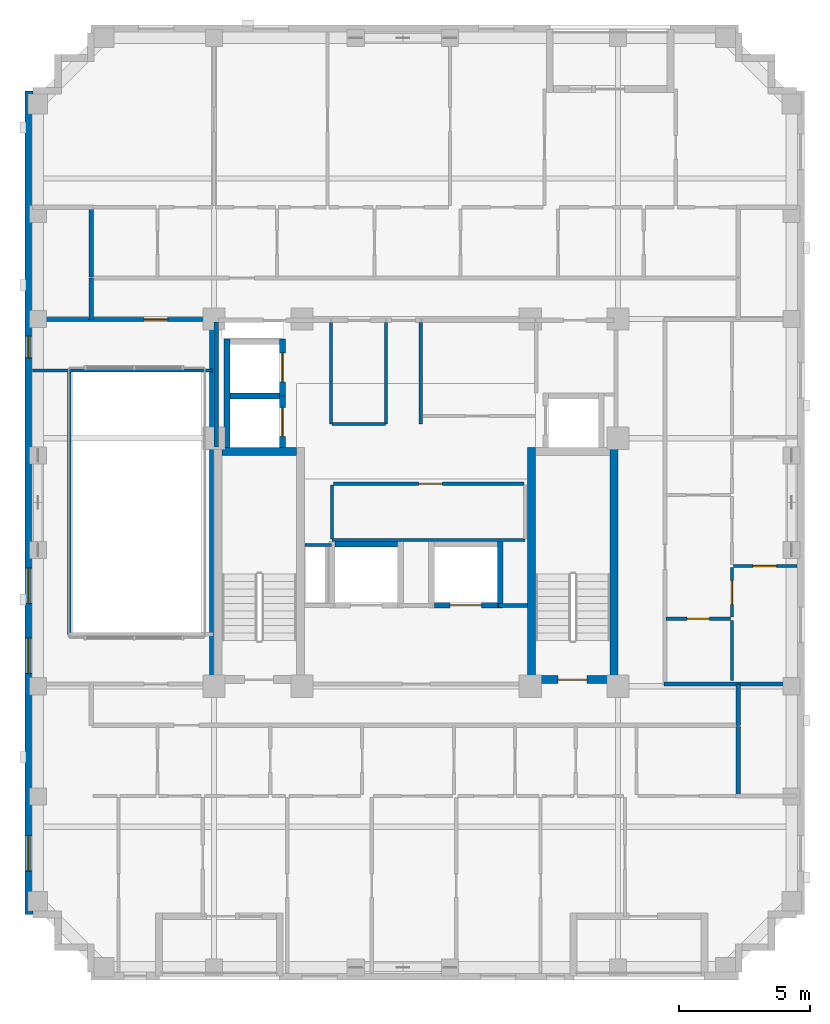
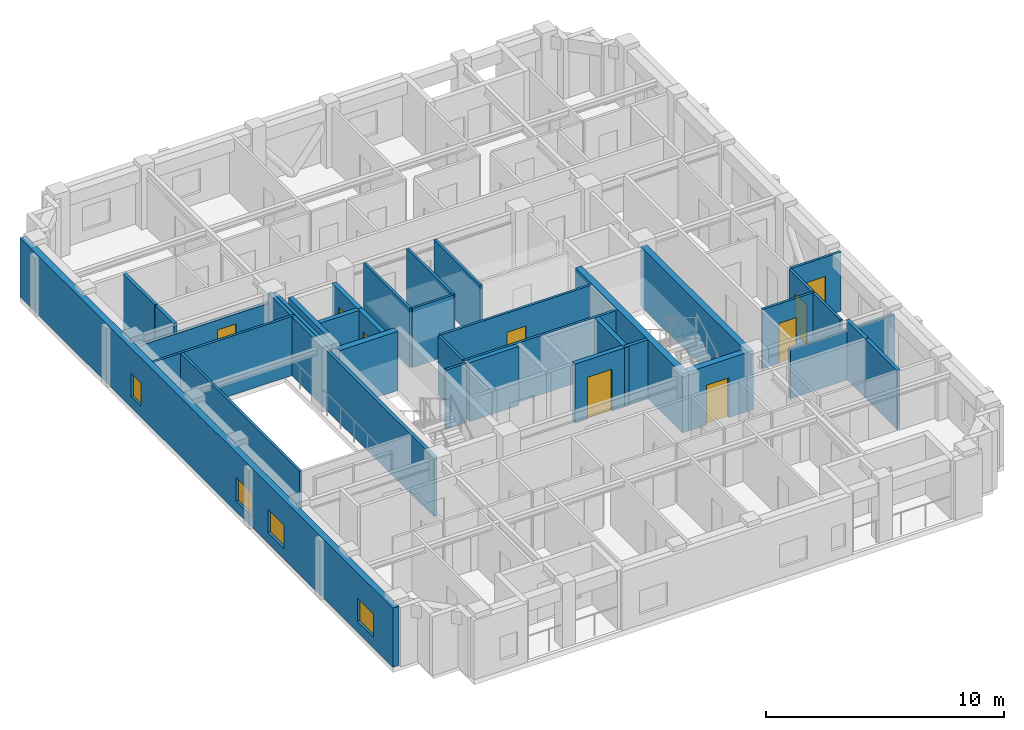
# One storey, part 6 of 12: 35 walls, 9 doors, 4 windows, 13 openings.
"""IFC4 building model written with IfcOpenShell, lengths in metres."""

from ifc_helpers import new_model, si_unit, derived_unit, direction, frame, frame_2d, origin, place, context, subcontext, project, spatial, rectangle, extrude, material, layer, layer_set, type_object, element, fill, save


model = new_model("IFC4")

# Units and contexts
model_context = context("Model", 3, precision=1e-05, world=origin(), true_north=direction((0.0, 1.0)))
body_context = subcontext(model_context, "Body", "Model", "MODEL_VIEW")
ifc_project = project(units=[si_unit("LENGTHUNIT", "METRE"), si_unit("AREAUNIT", "SQUARE_METRE"), si_unit("VOLUMEUNIT", "CUBIC_METRE"), si_unit("PLANEANGLEUNIT", "RADIAN"), si_unit("MASSUNIT", "GRAM", prefix="KILO"), derived_unit("THERMALTRANSMITTANCEUNIT", [(si_unit("MASSUNIT", "GRAM", prefix="KILO"), 1), (si_unit("TIMEUNIT", "SECOND"), -3), (si_unit("THERMODYNAMICTEMPERATUREUNIT", "KELVIN"), -1)])], contexts=[model_context])

# Site, building, storey
site_placement = place(None, origin())
site = spatial("IfcSite", under=ifc_project, at=site_placement, CompositionType="ELEMENT")
building_placement = place(site_placement, origin())
building = spatial("IfcBuilding", under=site, at=building_placement, Name="Korrvale Station Residences", CompositionType="ELEMENT")
storey_placement = place(building_placement, frame((0.0, 0.0, 184.300048828125)))
storey = spatial("IfcBuildingStorey", under=building, at=storey_placement, Name="L53", CompositionType="ELEMENT", Elevation=184.300048828125)

# Walls
ifc_material_1 = material(Name="Concrete C50/60", Category="concrete")
ifc_layer_1 = layer(ifc_material_1, 0.300048828125, Name="Concrete C50/60")
ifc_layer_set_1 = layer_set([ifc_layer_1], Name="Concrete C50/60")
wall_type_1 = type_object("IfcWallType", Name="WAL-CORE-300-C50", PredefinedType="SHEAR", material=ifc_layer_set_1)
wall_1_placement = place(storey_placement, frame((18.10009765625, 23.949951171875, 0.0), z_axis=(0.0, 0.0, 1.0), x_axis=(1.0, 0.0, 0.0)))
element("IfcWall", 1, at=wall_1_placement, inside=storey, type_object=wall_type_1, Name="L53 ST-1 Core Shear Wall North", PredefinedType="SHEAR", context=body_context, shape_type="SweptSolid", body=[
    extrude(rectangle(XDim=2.849853515625, YDim=0.300048828125, at=frame_2d((1.4248046875, 0.0))), origin(), (0.0, 0.0, 1.0), 3.0400390625),
])
for number, where, z_axis, x_axis, name in (
    (2, (29.89990234375, 15.10009765625, 0.0), (0.0, 0.0, 1.0), (0.0, 1.0, 0.0), "L53 ST-2 Core Shear Wall West"),
    (3, (33.050048828125, 15.10009765625, 0.0), (0.0, 0.0, 1.0), (0.0, 1.0, 0.0), "L53 ST-2 Core Shear Wall East"),
):
    element("IfcWall", number, at=place(storey_placement, frame(where, z_axis=z_axis, x_axis=x_axis)), inside=storey, type_object=wall_type_1, Name=name, PredefinedType="SHEAR", context=body_context, shape_type="SweptSolid", body=[
        extrude(rectangle(XDim=9.0, YDim=0.300048828125, at=frame_2d((4.5, 0.0))), origin(), (0.0, 0.0, 1.0), 3.0400390625),
    ])

# Wall, opening, door
wall_2_placement = place(storey_placement, frame((30.050048828125, 15.25, 0.0), z_axis=(0.0, 0.0, 1.0), x_axis=(1.0, 0.0, 0.0)))
wall_2 = element("IfcWall", 4, at=wall_2_placement, inside=storey, type_object=wall_type_1, Name="L53 ST-2 Core Shear Wall South", PredefinedType="SHEAR", context=body_context, shape_type="SweptSolid", body=[
    extrude(rectangle(XDim=2.849853515625, YDim=0.300048828125, at=frame_2d((1.4248046875, 0.0))), origin(), (0.0, 0.0, 1.0), 3.0400390625),
])
opening_1_placement = place(wall_2_placement, frame((0.860107421875, 0.0, 0.0)))
opening_1 = element("IfcOpeningElement", 5, at=opening_1_placement, cuts=wall_2, Name="Opening SD-1100", PredefinedType="OPENING", context=body_context, shape_type="SweptSolid", body=[
    extrude(rectangle(XDim=1.10009765625, YDim=2.050048828125, at=frame_2d((0.550048828125, 1.02490234375))), frame((0.0, 0.16015625, 0.0), z_axis=(0.0, -1.0, 0.0), x_axis=(1.0, 0.0, 0.0)), (0.0, 0.0, 1.0), 0.320068359375),
])
ifc_material_2 = material(Name="Hollow-metal fire-rated stair door with closer", Category="steel")
door_type_1 = type_object("IfcDoorType", Name="DR-STAIR-1100", OperationType="NOTDEFINED", PredefinedType="DOOR", material=ifc_material_2)
door_1_placement = place(opening_1_placement, origin())
door_1 = element("IfcDoor", 6, at=door_1_placement, inside=storey, type_object=door_type_1, Name="L53 ST-2 Exit Stair Door", OperationType="SINGLE_SWING_RIGHT", OverallHeight=2.050048828125, OverallWidth=1.10009765625, PredefinedType="DOOR", context=body_context, shape_type="SweptSolid", body=[
    extrude(rectangle(XDim=1.10009765625, YDim=2.050048828125, at=frame_2d((0.550048828125, 1.02490234375))), frame((0.0, 0.02490234375, 0.0), z_axis=(0.0, -1.0, 0.0), x_axis=(1.0, 0.0, 0.0)), (0.0, 0.0, 1.0), 0.050048828125),
])
fill(opening_1, door_1)

# Wall, openings, windows
ifc_material_3 = material(Name="Precast concrete C45/55", Category="concrete")
ifc_layer_2 = layer(ifc_material_3, 0.300048828125, Name="Precast concrete C45/55")
ifc_layer_set_2 = layer_set([ifc_layer_2], Name="Precast concrete C45/55")
wall_type_2 = type_object("IfcWallType", Name="WAL-EXT-PC300", PredefinedType="SOLIDWALL", material=ifc_layer_set_2)
wall_3_placement = place(storey_placement, frame((10.75, 6.300048828125, 0.0), z_axis=(0.0, 0.0, 1.0), x_axis=(0.0, 1.0, 0.0)))
wall_3 = element("IfcWall", 7, at=wall_3_placement, inside=storey, type_object=wall_type_2, Name="L53 West Exterior Precast Wall 1", PredefinedType="SOLIDWALL", context=body_context, shape_type="SweptSolid", body=[
    extrude(rectangle(XDim=31.39990234375, YDim=0.300048828125, at=frame_2d((15.699951171875, 0.0))), origin(), (0.0, 0.0, 1.0), 3.0400390625),
])
opening_2_placement = place(wall_3_placement, frame((1.653076171875, 0.0, 0.550048828125)))
opening_2 = element("IfcOpeningElement", 8, at=opening_2_placement, cuts=wall_3, Name="Opening W-10", PredefinedType="OPENING", context=body_context, shape_type="SweptSolid", body=[
    extrude(rectangle(XDim=1.35009765625, YDim=1.199951171875, at=frame_2d((0.675048828125, 0.60009765625))), frame((0.0, 0.16015625, 0.0), z_axis=(0.0, -1.0, 0.0), x_axis=(1.0, 0.0, 0.0)), (0.0, 0.0, 1.0), 0.320068359375),
])
opening_3_placement = place(wall_3_placement, frame((11.85009765625, 0.0, 0.550048828125)))
opening_3 = element("IfcOpeningElement", 9, at=opening_3_placement, cuts=wall_3, Name="Opening W-10", PredefinedType="OPENING", context=body_context, shape_type="SweptSolid", body=[
    extrude(rectangle(XDim=1.35009765625, YDim=1.199951171875, at=frame_2d((0.675048828125, 0.60009765625))), frame((0.0, 0.16015625, 0.0), z_axis=(0.0, -1.0, 0.0), x_axis=(1.0, 0.0, 0.0)), (0.0, 0.0, 1.0), 0.320068359375),
])
opening_4_placement = place(wall_3_placement, frame((9.18505859375, 0.0, 0.550048828125)))
opening_4 = element("IfcOpeningElement", 10, at=opening_4_placement, cuts=wall_3, Name="Opening W-10", PredefinedType="OPENING", context=body_context, shape_type="SweptSolid", body=[
    extrude(rectangle(XDim=1.35009765625, YDim=1.199951171875, at=frame_2d((0.675048828125, 0.60009765625))), frame((0.0, 0.16015625, 0.0), z_axis=(0.0, -1.0, 0.0), x_axis=(1.0, 0.0, 0.0)), (0.0, 0.0, 1.0), 0.320068359375),
])
opening_5_placement = place(wall_3_placement, frame((21.208984375, 0.0, 0.550048828125)))
opening_5 = element("IfcOpeningElement", 11, at=opening_5_placement, cuts=wall_3, Name="Opening W-11", PredefinedType="OPENING", context=body_context, shape_type="SweptSolid", body=[
    extrude(rectangle(XDim=0.85009765625, YDim=1.199951171875, at=frame_2d((0.425048828125, 0.60009765625))), frame((0.0, 0.16015625, 0.0), z_axis=(0.0, -1.0, 0.0), x_axis=(1.0, 0.0, 0.0)), (0.0, 0.0, 1.0), 0.320068359375),
])
ifc_material_4 = material(Name="Thermally broken aluminium frame with triple low-e glazing", Category="aluminium")
window_type_1 = type_object("IfcWindowType", Name="WIN-W10", PartitioningType="SINGLE_PANEL", PredefinedType="WINDOW", material=ifc_material_4)
window_1_placement = place(opening_2_placement, origin())
window_1 = element("IfcWindow", 12, at=window_1_placement, inside=storey, type_object=window_type_1, Name="L53 Punched Window 01", OverallHeight=1.199951171875, OverallWidth=1.35009765625, PartitioningType="SINGLE_PANEL", PredefinedType="WINDOW", context=body_context, shape_type="SweptSolid", body=[
    extrude(rectangle(XDim=1.35009765625, YDim=1.199951171875, at=frame_2d((0.675048828125, 0.60009765625))), frame((0.0, 0.030029296875, 0.0), z_axis=(0.0, -1.0, 0.0), x_axis=(1.0, 0.0, 0.0)), (0.0, 0.0, 1.0), 0.06005859375),
])
fill(opening_2, window_1)
window_2_placement = place(opening_3_placement, origin())
window_2 = element("IfcWindow", 13, at=window_2_placement, inside=storey, type_object=window_type_1, Name="L53 Punched Window 15", OverallHeight=1.199951171875, OverallWidth=1.35009765625, PartitioningType="SINGLE_PANEL", PredefinedType="WINDOW", context=body_context, shape_type="SweptSolid", body=[
    extrude(rectangle(XDim=1.35009765625, YDim=1.199951171875, at=frame_2d((0.675048828125, 0.60009765625))), frame((0.0, 0.030029296875, 0.0), z_axis=(0.0, -1.0, 0.0), x_axis=(1.0, 0.0, 0.0)), (0.0, 0.0, 1.0), 0.06005859375),
])
fill(opening_3, window_2)
window_3_placement = place(opening_4_placement, origin())
window_3 = element("IfcWindow", 14, at=window_3_placement, inside=storey, type_object=window_type_1, Name="L53 Punched Window 16", OverallHeight=1.199951171875, OverallWidth=1.35009765625, PartitioningType="SINGLE_PANEL", PredefinedType="WINDOW", context=body_context, shape_type="SweptSolid", body=[
    extrude(rectangle(XDim=1.35009765625, YDim=1.199951171875, at=frame_2d((0.675048828125, 0.60009765625))), frame((0.0, 0.030029296875, 0.0), z_axis=(0.0, -1.0, 0.0), x_axis=(1.0, 0.0, 0.0)), (0.0, 0.0, 1.0), 0.06005859375),
])
fill(opening_4, window_3)
window_type_2 = type_object("IfcWindowType", Name="WIN-W11", PartitioningType="SINGLE_PANEL", PredefinedType="WINDOW", material=ifc_material_4)
window_4_placement = place(opening_5_placement, origin())
window_4 = element("IfcWindow", 15, at=window_4_placement, inside=storey, type_object=window_type_2, Name="L53 Punched Window 17", OverallHeight=1.199951171875, OverallWidth=0.85009765625, PartitioningType="SINGLE_PANEL", PredefinedType="WINDOW", context=body_context, shape_type="SweptSolid", body=[
    extrude(rectangle(XDim=0.85009765625, YDim=1.199951171875, at=frame_2d((0.425048828125, 0.60009765625))), frame((0.0, 0.030029296875, 0.0), z_axis=(0.0, -1.0, 0.0), x_axis=(1.0, 0.0, 0.0)), (0.0, 0.0, 1.0), 0.06005859375),
])
fill(opening_5, window_4)

# Walls
ifc_material_5 = material(Name="Acoustic steel-stud gypsum board partition", Category="steel")
ifc_layer_3 = layer(ifc_material_5, 0.1201171875, Name="Acoustic steel-stud gypsum board partition")
ifc_layer_set_3 = layer_set([ifc_layer_3], Name="Acoustic steel-stud gypsum board partition")
wall_type_3 = type_object("IfcWallType", Name="WAL-PART-125", PredefinedType="PARTITIONING", material=ifc_layer_set_3)
wall_4_placement = place(storey_placement, frame((22.280029296875, 20.3798828125, 0.0), z_axis=(0.0, 0.0, 1.0), x_axis=(-1.0, 0.0, 0.0)))
element("IfcWall", 16, at=wall_4_placement, inside=storey, type_object=wall_type_3, Name="L53 Core Partition CW-RSWT-N", PredefinedType="PARTITIONING", context=body_context, shape_type="SweptSolid", body=[
    extrude(rectangle(XDim=1.02001953125, YDim=0.1201171875, at=frame_2d((0.510009765625, 0.0))), origin(), (0.0, 0.0, 1.0), 3.0400390625),
])
for number, where, z_axis, x_axis, name in (
    (17, (24.360107421875, 25.0, 0.0), (0.0, 0.0, 1.0), (0.0, 1.0, 0.0), "L53 Core Partition CW-PSG-W"),
    (18, (25.679931640625, 25.0, 0.0), (0.0, 0.0, 1.0), (0.0, 1.0, 0.0), "L53 Core Partition CW-PSG-E"),
):
    element("IfcWall", number, at=place(storey_placement, frame(where, z_axis=z_axis, x_axis=x_axis)), inside=storey, type_object=wall_type_3, Name=name, PredefinedType="PARTITIONING", context=body_context, shape_type="SweptSolid", body=[
        extrude(rectangle(XDim=3.8701171875, YDim=0.1201171875, at=frame_2d((1.93505859375, 0.0))), origin(), (0.0, 0.0, 1.0), 3.0400390625),
    ])
wall_5_placement = place(storey_placement, frame((22.260009765625, 25.0, 0.0), z_axis=(0.0, 0.0, 1.0), x_axis=(0.0, 1.0, 0.0)))
element("IfcWall", 19, at=wall_5_placement, inside=storey, type_object=wall_type_3, Name="L53 Core Partition CW-FPLW-W", PredefinedType="PARTITIONING", context=body_context, shape_type="SweptSolid", body=[
    extrude(rectangle(XDim=3.860107421875, YDim=0.1201171875, at=frame_2d((1.93017578125, 0.0))), origin(), (0.0, 0.0, 1.0), 3.0400390625),
])
wall_6_placement = place(storey_placement, frame((22.300048828125, 25.0, 0.0), z_axis=(0.0, 0.0, 1.0), x_axis=(1.0, 0.0, 0.0)))
element("IfcWall", 20, at=wall_6_placement, inside=storey, type_object=wall_type_3, Name="L53 Core Partition CW-FPLW-S", PredefinedType="PARTITIONING", context=body_context, shape_type="SweptSolid", body=[
    extrude(rectangle(XDim=2.0400390625, YDim=0.1201171875, at=frame_2d((1.02001953125, 0.0))), origin(), (0.0, 0.0, 1.0), 3.0400390625),
])
wall_7_placement = place(storey_placement, frame((22.300048828125, 20.580078125, 0.0), z_axis=(0.0, 0.0, 1.0), x_axis=(1.0, 0.0, 0.0)))
element("IfcWall", 21, at=wall_7_placement, inside=storey, type_object=wall_type_3, Name="L53 Core Partition CW-FPM-S", PredefinedType="PARTITIONING", context=body_context, shape_type="SweptSolid", body=[
    extrude(rectangle(XDim=7.349853515625, YDim=0.1201171875, at=frame_2d((3.6748046875, 0.0))), origin(), (0.0, 0.0, 1.0), 3.0400390625),
])
wall_8_placement = place(storey_placement, frame((22.300048828125, 20.6201171875, 0.0), z_axis=(0.0, 0.0, 1.0), x_axis=(0.0, 1.0, 0.0)))
element("IfcWall", 22, at=wall_8_placement, inside=storey, type_object=wall_type_3, Name="L53 Core Partition CW-FPM-W", PredefinedType="PARTITIONING", context=body_context, shape_type="SweptSolid", body=[
    extrude(rectangle(XDim=2.059814453125, YDim=0.1201171875, at=frame_2d((1.02978515625, 0.0))), origin(), (0.0, 0.0, 1.0), 3.0400390625),
])

# Wall, opening, door
wall_9_placement = place(storey_placement, frame((22.35009765625, 22.719970703125, 0.0), z_axis=(0.0, 0.0, 1.0), x_axis=(1.0, 0.0, 0.0)))
wall_9 = element("IfcWall", 23, at=wall_9_placement, inside=storey, type_object=wall_type_3, Name="L53 Core Partition CW-FPM-N", PredefinedType="PARTITIONING", context=body_context, shape_type="SweptSolid", body=[
    extrude(rectangle(XDim=7.27001953125, YDim=0.1201171875, at=frame_2d((3.635009765625, 0.0))), origin(), (0.0, 0.0, 1.0), 3.0400390625),
])
opening_6_placement = place(wall_9_placement, frame((3.25, 0.0, 0.0)))
opening_6 = element("IfcOpeningElement", 24, at=opening_6_placement, cuts=wall_9, Name="Opening DI-900", PredefinedType="OPENING", context=body_context, shape_type="SweptSolid", body=[
    extrude(rectangle(XDim=0.89990234375, YDim=2.050048828125, at=frame_2d((0.449951171875, 1.02490234375))), frame((0.0, 0.070068359375, 0.0), z_axis=(0.0, -1.0, 0.0), x_axis=(1.0, 0.0, 0.0)), (0.0, 0.0, 1.0), 0.14013671875),
])
ifc_material_6 = material(Name="Painted solid-core timber interior room door", Category="wood")
door_type_2 = type_object("IfcDoorType", Name="DR-INT-900", OperationType="NOTDEFINED", PredefinedType="DOOR", material=ifc_material_6)
door_2_placement = place(opening_6_placement, origin())
door_2 = element("IfcDoor", 25, at=door_2_placement, inside=storey, type_object=door_type_2, Name="L53 Beverage Store Door", OperationType="SINGLE_SWING_RIGHT", OverallHeight=2.050048828125, OverallWidth=0.89990234375, PredefinedType="DOOR", context=body_context, shape_type="SweptSolid", body=[
    extrude(rectangle(XDim=0.89990234375, YDim=2.050048828125, at=frame_2d((0.449951171875, 1.02490234375))), frame((0.0, 0.02490234375, 0.0), z_axis=(0.0, -1.0, 0.0), x_axis=(1.0, 0.0, 0.0)), (0.0, 0.0, 1.0), 0.050048828125),
])
fill(opening_6, door_2)

# Walls
wall_10_placement = place(storey_placement, frame((12.280029296875, 16.97998046875, 0.0), z_axis=(0.0, 0.0, 1.0), x_axis=(0.0, 1.0, 0.0)))
element("IfcWall", 26, at=wall_10_placement, inside=storey, type_object=wall_type_3, Name="L53 Atrium West Void Screen Wall", PredefinedType="PARTITIONING", context=body_context, shape_type="SweptSolid", body=[
    extrude(rectangle(XDim=10.0400390625, YDim=0.1201171875, at=frame_2d((5.02001953125, 0.0))), origin(), (0.0, 0.0, 1.0), 3.0400390625),
])
wall_11_placement = place(storey_placement, frame((10.8798828125, 27.0400390625, 0.0), z_axis=(0.0, 0.0, 1.0), x_axis=(1.0, 0.0, 0.0)))
element("IfcWall", 27, at=wall_11_placement, inside=storey, type_object=wall_type_3, Name="L53 Atrium Salon Void Wall", PredefinedType="PARTITIONING", context=body_context, shape_type="SweptSolid", body=[
    extrude(rectangle(XDim=6.880126953125, YDim=0.1201171875, at=frame_2d((3.43994140625, 0.0))), origin(), (0.0, 0.0, 1.0), 3.0400390625),
])

# Wall, opening, door
wall_12_placement = place(storey_placement, frame((35.030029296875, 17.570068359375, 0.0), z_axis=(0.0, 0.0, 1.0), x_axis=(1.0, 0.0, 0.0)))
wall_12 = element("IfcWall", 28, at=wall_12_placement, inside=storey, type_object=wall_type_3, Name="L53 Suite Partition U03-H12", PredefinedType="PARTITIONING", context=body_context, shape_type="SweptSolid", body=[
    extrude(rectangle(XDim=2.449951171875, YDim=0.1201171875, at=frame_2d((1.22509765625, 0.0))), origin(), (0.0, 0.0, 1.0), 3.0400390625),
])
opening_7_placement = place(wall_12_placement, frame((0.794921875, 0.0, 0.0)))
opening_7 = element("IfcOpeningElement", 29, at=opening_7_placement, cuts=wall_12, Name="Opening DB-860", PredefinedType="OPENING", context=body_context, shape_type="SweptSolid", body=[
    extrude(rectangle(XDim=0.860107421875, YDim=2.050048828125, at=frame_2d((0.43017578125, 1.02490234375))), frame((0.0, 0.070068359375, 0.0), z_axis=(0.0, -1.0, 0.0), x_axis=(1.0, 0.0, 0.0)), (0.0, 0.0, 1.0), 0.14013671875),
])
ifc_material_7 = material(Name="Moisture-resistant solid-core bathroom door", Category="timber")
door_type_3 = type_object("IfcDoorType", Name="DR-BATH-860", OperationType="NOTDEFINED", PredefinedType="DOOR", material=ifc_material_7)
door_3_placement = place(opening_7_placement, origin())
door_3 = element("IfcDoor", 30, at=door_3_placement, inside=storey, type_object=door_type_3, Name="L53 Apartment 2BR L53-U03 Bathroom Door", OperationType="SINGLE_SWING_LEFT", OverallHeight=2.050048828125, OverallWidth=0.860107421875, PredefinedType="DOOR", context=body_context, shape_type="SweptSolid", body=[
    extrude(rectangle(XDim=0.860107421875, YDim=2.050048828125, at=frame_2d((0.43017578125, 1.02490234375))), frame((0.0, 0.02490234375, 0.0), z_axis=(0.0, -1.0, 0.0), x_axis=(1.0, 0.0, 0.0)), (0.0, 0.0, 1.0), 0.050048828125),
])
fill(opening_7, door_3)

# Wall
wall_13_placement = place(storey_placement, frame((37.5400390625, 15.2099609375, 0.0), z_axis=(0.0, 0.0, 1.0), x_axis=(0.0, 1.0, 0.0)))
element("IfcWall", 31, at=wall_13_placement, inside=storey, type_object=wall_type_3, Name="L53 Suite Partition U03-V13", PredefinedType="PARTITIONING", context=body_context, shape_type="SweptSolid", body=[
    extrude(rectangle(XDim=2.300048828125, YDim=0.1201171875, at=frame_2d((1.14990234375, 0.0))), origin(), (0.0, 0.0, 1.0), 3.0400390625),
])

# Wall, opening, door
wall_14_placement = place(storey_placement, frame((37.5400390625, 17.6298828125, 0.0), z_axis=(0.0, 0.0, 1.0), x_axis=(0.0, 1.0, 0.0)))
wall_14 = element("IfcWall", 32, at=wall_14_placement, inside=storey, type_object=wall_type_3, Name="L53 Suite Partition U03-V23", PredefinedType="PARTITIONING", context=body_context, shape_type="SweptSolid", body=[
    extrude(rectangle(XDim=1.88818359375, YDim=0.1201171875, at=frame_2d((0.944091796875, 0.0))), origin(), (0.0, 0.0, 1.0), 3.0400390625),
])
opening_8_placement = place(wall_14_placement, frame((0.493896484375, 0.0, 0.0)))
opening_8 = element("IfcOpeningElement", 33, at=opening_8_placement, cuts=wall_14, Name="Opening DI-900", PredefinedType="OPENING", context=body_context, shape_type="SweptSolid", body=[
    extrude(rectangle(XDim=0.89990234375, YDim=2.050048828125, at=frame_2d((0.449951171875, 1.02490234375))), frame((0.0, 0.070068359375, 0.0), z_axis=(0.0, -1.0, 0.0), x_axis=(1.0, 0.0, 0.0)), (0.0, 0.0, 1.0), 0.14013671875),
])
door_4_placement = place(opening_8_placement, origin())
door_4 = element("IfcDoor", 34, at=door_4_placement, inside=storey, type_object=door_type_2, Name="L53 Apartment 2BR L53-U03 Kitchen Door", OperationType="SINGLE_SWING_RIGHT", OverallHeight=2.050048828125, OverallWidth=0.89990234375, PredefinedType="DOOR", context=body_context, shape_type="SweptSolid", body=[
    extrude(rectangle(XDim=0.89990234375, YDim=2.050048828125, at=frame_2d((0.449951171875, 1.02490234375))), frame((0.0, 0.02490234375, 0.0), z_axis=(0.0, -1.0, 0.0), x_axis=(1.0, 0.0, 0.0)), (0.0, 0.0, 1.0), 0.050048828125),
])
fill(opening_8, door_4)

wall_15_placement = place(storey_placement, frame((37.60009765625, 19.577880859375, 0.0), z_axis=(0.0, 0.0, 1.0), x_axis=(1.0, 0.0, 0.0)))
wall_15 = element("IfcWall", 35, at=wall_15_placement, inside=storey, type_object=wall_type_3, Name="L53 Suite Partition U03-H34", PredefinedType="PARTITIONING", context=body_context, shape_type="SweptSolid", body=[
    extrude(rectangle(XDim=2.419921875, YDim=0.1201171875, at=frame_2d((1.2099609375, 0.0))), origin(), (0.0, 0.0, 1.0), 3.0400390625),
])
opening_9_placement = place(wall_15_placement, frame((0.7451171875, 0.0, 0.0)))
opening_9 = element("IfcOpeningElement", 36, at=opening_9_placement, cuts=wall_15, Name="Opening DI-900", PredefinedType="OPENING", context=body_context, shape_type="SweptSolid", body=[
    extrude(rectangle(XDim=0.89990234375, YDim=2.050048828125, at=frame_2d((0.449951171875, 1.02490234375))), frame((0.0, 0.070068359375, 0.0), z_axis=(0.0, -1.0, 0.0), x_axis=(1.0, 0.0, 0.0)), (0.0, 0.0, 1.0), 0.14013671875),
])
door_5_placement = place(opening_9_placement, origin())
door_5 = element("IfcDoor", 37, at=door_5_placement, inside=storey, type_object=door_type_2, Name="L53 Apartment 2BR L53-U03 Bedroom 1 Door", OperationType="SINGLE_SWING_RIGHT", OverallHeight=2.050048828125, OverallWidth=0.89990234375, PredefinedType="DOOR", context=body_context, shape_type="SweptSolid", body=[
    extrude(rectangle(XDim=0.89990234375, YDim=2.050048828125, at=frame_2d((0.449951171875, 1.02490234375))), frame((0.0, 0.02490234375, 0.0), z_axis=(0.0, -1.0, 0.0), x_axis=(1.0, 0.0, 0.0)), (0.0, 0.0, 1.0), 0.050048828125),
])
fill(opening_9, door_5)

# Walls
ifc_material_8 = material(Name="Fire-rated twin-stud gypsum and mineral wool shaftwall assembly", Category="gypsum")
ifc_layer_4 = layer(ifc_material_8, 0.159912109375, Name="Fire-rated twin-stud gypsum and mineral wool shaftwall assembly")
ifc_layer_set_4 = layer_set([ifc_layer_4], Name="Fire-rated twin-stud gypsum and mineral wool shaftwall assembly")
wall_type_4 = type_object("IfcWallType", Name="WAL-PART-200", PredefinedType="PARTITIONING", material=ifc_layer_set_4)
wall_16_placement = place(storey_placement, frame((28.64990234375, 18.080078125, 0.0), z_axis=(0.0, 0.0, 1.0), x_axis=(1.0, 0.0, 0.0)))
element("IfcWall", 38, at=wall_16_placement, inside=storey, type_object=wall_type_4, Name="L53 Core Partition CW-FFL-N3", PredefinedType="PARTITIONING", context=body_context, shape_type="SweptSolid", body=[
    extrude(rectangle(XDim=1.10009765625, YDim=0.159912109375, at=frame_2d((0.550048828125, 0.0))), origin(), (0.0, 0.0, 1.0), 3.0400390625),
])
wall_17_placement = place(storey_placement, frame((17.8798828125, 24.1201171875, 0.0), z_axis=(0.0, 0.0, 1.0), x_axis=(0.0, 1.0, 0.0)))
element("IfcWall", 39, at=wall_17_placement, inside=storey, type_object=wall_type_4, Name="L53 Core Partition CW-W-N", PredefinedType="PARTITIONING", context=body_context, shape_type="SweptSolid", body=[
    extrude(rectangle(XDim=4.759765625, YDim=0.159912109375, at=frame_2d((2.3798828125, 0.0))), origin(), (0.0, 0.0, 1.0), 3.0400390625),
])
for number, where, z_axis, x_axis, name in (
    (40, (37.780029296875, 13.510009765625, 0.0), (0.0, 0.0, 1.0), (0.0, 1.0, 0.0), "L53 Corridor South East Cap"),
    (41, (13.1201171875, 28.97998046875, 0.0), (0.0, 0.0, 1.0), (0.0, 1.0, 0.0), "L53 Corridor North West Cap"),
):
    element("IfcWall", number, at=place(storey_placement, frame(where, z_axis=z_axis, x_axis=x_axis)), inside=storey, type_object=wall_type_4, Name=name, PredefinedType="PARTITIONING", context=body_context, shape_type="SweptSolid", body=[
        extrude(rectangle(XDim=1.580078125, YDim=0.159912109375, at=frame_2d((0.7900390625, 0.0))), origin(), (0.0, 0.0, 1.0), 3.0400390625),
    ])

# Wall, opening, door
wall_18_placement = place(storey_placement, frame((10.8798828125, 28.97998046875, 0.0), z_axis=(0.0, 0.0, 1.0), x_axis=(1.0, 0.0, 0.0)))
wall_18 = element("IfcWall", 42, at=wall_18_placement, inside=storey, type_object=wall_type_4, Name="L53 Atrium Salon North Wall", PredefinedType="PARTITIONING", context=body_context, shape_type="SweptSolid", body=[
    extrude(rectangle(XDim=6.880126953125, YDim=0.159912109375, at=frame_2d((3.43994140625, 0.0))), origin(), (0.0, 0.0, 1.0), 2.555908203125),
])
opening_10_placement = place(wall_18_placement, frame((4.25, 0.0, 0.0)))
opening_10 = element("IfcOpeningElement", 43, at=opening_10_placement, cuts=wall_18, Name="Opening DI-900", PredefinedType="OPENING", context=body_context, shape_type="SweptSolid", body=[
    extrude(rectangle(XDim=0.89990234375, YDim=2.050048828125, at=frame_2d((0.449951171875, 1.02490234375))), frame((0.0, 0.08984375, 0.0), z_axis=(0.0, -1.0, 0.0), x_axis=(1.0, 0.0, 0.0)), (0.0, 0.0, 1.0), 0.179931640625),
])
door_6_placement = place(opening_10_placement, origin())
door_6 = element("IfcDoor", 44, at=door_6_placement, inside=storey, type_object=door_type_2, Name="L53 Atrium Salon North Door", OperationType="SINGLE_SWING_RIGHT", OverallHeight=2.050048828125, OverallWidth=0.89990234375, PredefinedType="DOOR", context=body_context, shape_type="SweptSolid", body=[
    extrude(rectangle(XDim=0.89990234375, YDim=2.050048828125, at=frame_2d((0.449951171875, 1.02490234375))), frame((0.0, 0.02490234375, 0.0), z_axis=(0.0, -1.0, 0.0), x_axis=(1.0, 0.0, 0.0)), (0.0, 0.0, 1.0), 0.050048828125),
])
fill(opening_10, door_6)

# Walls
wall_19_placement = place(storey_placement, frame((34.949951171875, 15.090087890625, 0.0), z_axis=(0.0, 0.0, 1.0), x_axis=(1.0, 0.0, 0.0)))
element("IfcWall", 45, at=wall_19_placement, inside=storey, type_object=wall_type_4, Name="L53 East Wing South Corridor Wall", PredefinedType="PARTITIONING", context=body_context, shape_type="SweptSolid", body=[
    extrude(rectangle(XDim=5.070068359375, YDim=0.159912109375, at=frame_2d((2.53515625, 0.0))), origin(), (0.0, 0.0, 1.0), 2.555908203125),
])
for number, where, z_axis, x_axis, name in (
    (46, (37.780029296875, 10.81005859375, 0.0), (0.0, 0.0, 1.0), (0.0, 1.0, 0.0), "L53 Corner Step Cheek U01-R"),
    (47, (13.1201171875, 30.60009765625, 0.0), (0.0, 0.0, 1.0), (0.0, 1.0, 0.0), "L53 Corner Step Cheek U02-L"),
):
    element("IfcWall", number, at=place(storey_placement, frame(where, z_axis=z_axis, x_axis=x_axis)), inside=storey, type_object=wall_type_4, Name=name, PredefinedType="PARTITIONING", context=body_context, shape_type="SweptSolid", body=[
        extrude(rectangle(XDim=2.659912109375, YDim=0.159912109375, at=frame_2d((1.330078125, 0.0))), origin(), (0.0, 0.0, 1.0), 3.0400390625),
    ])
wall_20_placement = place(storey_placement, frame((17.699951171875, 15.02001953125, 0.0), z_axis=(0.0, 0.0, 1.0), x_axis=(0.0, 1.0, 0.0)))
element("IfcWall", 48, at=wall_20_placement, inside=storey, type_object=wall_type_4, Name="L53 Rated Corridor Wall W", PredefinedType="PARTITIONING", context=body_context, shape_type="SweptSolid", body=[
    extrude(rectangle(XDim=13.97998046875, YDim=0.159912109375, at=frame_2d((6.989990234375, 0.0))), origin(), (0.0, 0.0, 1.0), 3.0400390625),
])
ifc_layer_5 = layer(ifc_material_1, 0.219970703125, Name="Concrete C50/60")
ifc_layer_set_5 = layer_set([ifc_layer_5], Name="Concrete C50/60")
wall_type_5 = type_object("IfcWallType", Name="WAL-SHAFT-220-C50", PredefinedType="SHEAR", material=ifc_layer_set_5)
wall_21_placement = place(storey_placement, frame((18.2900390625, 24.10009765625, 0.0), z_axis=(0.0, 0.0, 1.0), x_axis=(0.0, 1.0, 0.0)))
element("IfcWall", 49, at=wall_21_placement, inside=storey, type_object=wall_type_5, Name="L53 Elevator PH-1 Hoistway Wall West", PredefinedType="SHEAR", context=body_context, shape_type="SweptSolid", body=[
    extrude(rectangle(XDim=4.139892578125, YDim=0.219970703125, at=frame_2d((2.06982421875, 0.0))), origin(), (0.0, 0.0, 1.0), 3.0400390625),
])

# Wall, opening, door
wall_22_placement = place(storey_placement, frame((20.409912109375, 24.10009765625, 0.0), z_axis=(0.0, 0.0, 1.0), x_axis=(0.0, 1.0, 0.0)))
wall_22 = element("IfcWall", 50, at=wall_22_placement, inside=storey, type_object=wall_type_5, Name="L53 Elevator PH-1 Hoistway Wall East", PredefinedType="SHEAR", context=body_context, shape_type="SweptSolid", body=[
    extrude(rectangle(XDim=1.9599609375, YDim=0.219970703125, at=frame_2d((0.97998046875, 0.0))), origin(), (0.0, 0.0, 1.0), 3.0400390625),
])
opening_11_placement = place(wall_22_placement, frame((0.429931640625, 0.0, 0.0)))
opening_11 = element("IfcOpeningElement", 51, at=opening_11_placement, cuts=wall_22, Name="Opening LD-1100", PredefinedType="OPENING", context=body_context, shape_type="SweptSolid", body=[
    extrude(rectangle(XDim=1.10009765625, YDim=2.14990234375, at=frame_2d((0.550048828125, 1.074951171875))), frame((0.0, 0.1201171875, 0.0), z_axis=(0.0, -1.0, 0.0), x_axis=(1.0, 0.0, 0.0)), (0.0, 0.0, 1.0), 0.239990234375),
])
ifc_material_9 = material(Name="Brushed stainless-steel elevator landing sliding door", Category="steel")
door_type_4 = type_object("IfcDoorType", Name="DR-LIFT-1100", OperationType="SLIDING_TO_LEFT", PredefinedType="DOOR", material=ifc_material_9)
door_7_placement = place(opening_11_placement, origin())
door_7 = element("IfcDoor", 52, at=door_7_placement, inside=storey, type_object=door_type_4, Name="L53 Elevator PH-1 Sliding Landing Door", OperationType="SLIDING_TO_LEFT", OverallHeight=2.14990234375, OverallWidth=1.10009765625, PredefinedType="DOOR", context=body_context, shape_type="SweptSolid", body=[
    extrude(rectangle(XDim=1.10009765625, YDim=2.14990234375, at=frame_2d((0.550048828125, 1.074951171875))), frame((0.0, 0.02490234375, 0.0), z_axis=(0.0, -1.0, 0.0), x_axis=(1.0, 0.0, 0.0)), (0.0, 0.0, 1.0), 0.050048828125),
])
fill(opening_11, door_7)

# Wall
wall_23_placement = place(storey_placement, frame((18.39990234375, 26.06005859375, 0.0), z_axis=(0.0, 0.0, 1.0), x_axis=(1.0, 0.0, 0.0)))
element("IfcWall", 53, at=wall_23_placement, inside=storey, type_object=wall_type_5, Name="L53 Elevator PH-2 Hoistway Wall South", PredefinedType="SHEAR", context=body_context, shape_type="SweptSolid", body=[
    extrude(rectangle(XDim=1.900146484375, YDim=0.219970703125, at=frame_2d((0.9501953125, 0.0))), origin(), (0.0, 0.0, 1.0), 3.0400390625),
])

# Wall, opening, door
wall_24_placement = place(storey_placement, frame((20.409912109375, 26.06005859375, 0.0), z_axis=(0.0, 0.0, 1.0), x_axis=(0.0, 1.0, 0.0)))
wall_24 = element("IfcWall", 54, at=wall_24_placement, inside=storey, type_object=wall_type_5, Name="L53 Elevator PH-2 Hoistway Wall East", PredefinedType="SHEAR", context=body_context, shape_type="SweptSolid", body=[
    extrude(rectangle(XDim=2.179931640625, YDim=0.219970703125, at=frame_2d((1.08984375, 0.0))), origin(), (0.0, 0.0, 1.0), 3.0400390625),
])
opening_12_placement = place(wall_24_placement, frame((0.5400390625, 0.0, 0.0)))
opening_12 = element("IfcOpeningElement", 55, at=opening_12_placement, cuts=wall_24, Name="Opening LD-1100", PredefinedType="OPENING", context=body_context, shape_type="SweptSolid", body=[
    extrude(rectangle(XDim=1.10009765625, YDim=2.14990234375, at=frame_2d((0.550048828125, 1.074951171875))), frame((0.0, 0.1201171875, 0.0), z_axis=(0.0, -1.0, 0.0), x_axis=(1.0, 0.0, 0.0)), (0.0, 0.0, 1.0), 0.239990234375),
])
door_8_placement = place(opening_12_placement, origin())
door_8 = element("IfcDoor", 56, at=door_8_placement, inside=storey, type_object=door_type_4, Name="L53 Elevator PH-2 Sliding Landing Door", OperationType="SLIDING_TO_LEFT", OverallHeight=2.14990234375, OverallWidth=1.10009765625, PredefinedType="DOOR", context=body_context, shape_type="SweptSolid", body=[
    extrude(rectangle(XDim=1.10009765625, YDim=2.14990234375, at=frame_2d((0.550048828125, 1.074951171875))), frame((0.0, 0.02490234375, 0.0), z_axis=(0.0, -1.0, 0.0), x_axis=(1.0, 0.0, 0.0)), (0.0, 0.0, 1.0), 0.050048828125),
])
fill(opening_12, door_8)

# Wall
wall_25_placement = place(storey_placement, frame((22.39990234375, 20.409912109375, 0.0), z_axis=(0.0, 0.0, 1.0), x_axis=(1.0, 0.0, 0.0)))
element("IfcWall", 57, at=wall_25_placement, inside=storey, type_object=wall_type_5, Name="L53 Elevator FFL-1 Hoistway Wall North", PredefinedType="SHEAR", context=body_context, shape_type="SweptSolid", body=[
    extrude(rectangle(XDim=2.400146484375, YDim=0.219970703125, at=frame_2d((1.2001953125, 0.0))), origin(), (0.0, 0.0, 1.0), 3.0400390625),
])

# Wall, opening, door
wall_26_placement = place(storey_placement, frame((26.199951171875, 18.090087890625, 0.0), z_axis=(0.0, 0.0, 1.0), x_axis=(1.0, 0.0, 0.0)))
wall_26 = element("IfcWall", 58, at=wall_26_placement, inside=storey, type_object=wall_type_5, Name="L53 Elevator FFL-2 Hoistway Wall South", PredefinedType="SHEAR", context=body_context, shape_type="SweptSolid", body=[
    extrude(rectangle(XDim=2.400146484375, YDim=0.219970703125, at=frame_2d((1.2001953125, 0.0))), origin(), (0.0, 0.0, 1.0), 3.0400390625),
])
opening_13_placement = place(wall_26_placement, frame((0.60009765625, 0.0, 0.0)))
opening_13 = element("IfcOpeningElement", 59, at=opening_13_placement, cuts=wall_26, Name="Opening LD-FF1200", PredefinedType="OPENING", context=body_context, shape_type="SweptSolid", body=[
    extrude(rectangle(XDim=1.199951171875, YDim=2.14990234375, at=frame_2d((0.60009765625, 1.074951171875))), frame((0.0, 0.1201171875, 0.0), z_axis=(0.0, -1.0, 0.0), x_axis=(1.0, 0.0, 0.0)), (0.0, 0.0, 1.0), 0.239990234375),
])
ifc_material_10 = material(Name="Stainless-steel firefighter elevator landing sliding door", Category="steel")
door_type_5 = type_object("IfcDoorType", Name="DR-LIFT-FF1200", OperationType="SLIDING_TO_LEFT", PredefinedType="DOOR", material=ifc_material_10)
door_9_placement = place(opening_13_placement, origin())
door_9 = element("IfcDoor", 60, at=door_9_placement, inside=storey, type_object=door_type_5, Name="L53 Elevator FFL-2 Sliding Landing Door", OperationType="SLIDING_TO_LEFT", OverallHeight=2.14990234375, OverallWidth=1.199951171875, PredefinedType="DOOR", context=body_context, shape_type="SweptSolid", body=[
    extrude(rectangle(XDim=1.199951171875, YDim=2.14990234375, at=frame_2d((0.60009765625, 1.074951171875))), frame((0.0, 0.02490234375, 0.0), z_axis=(0.0, -1.0, 0.0), x_axis=(1.0, 0.0, 0.0)), (0.0, 0.0, 1.0), 0.050048828125),
])
fill(opening_13, door_9)

# Wall
wall_27_placement = place(storey_placement, frame((28.7099609375, 17.97998046875, 0.0), z_axis=(0.0, 0.0, 1.0), x_axis=(0.0, 1.0, 0.0)))
element("IfcWall", 61, at=wall_27_placement, inside=storey, type_object=wall_type_5, Name="L53 Elevator FFL-2 Hoistway Wall East", PredefinedType="SHEAR", context=body_context, shape_type="SweptSolid", body=[
    extrude(rectangle(XDim=2.5400390625, YDim=0.219970703125, at=frame_2d((1.27001953125, 0.0))), origin(), (0.0, 0.0, 1.0), 3.0400390625),
])

save(model, "model.ifc")
